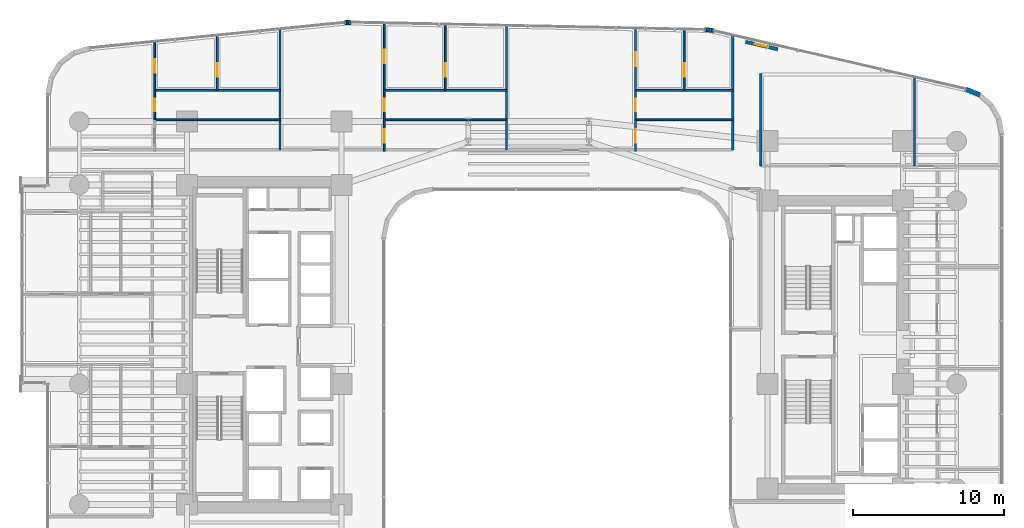
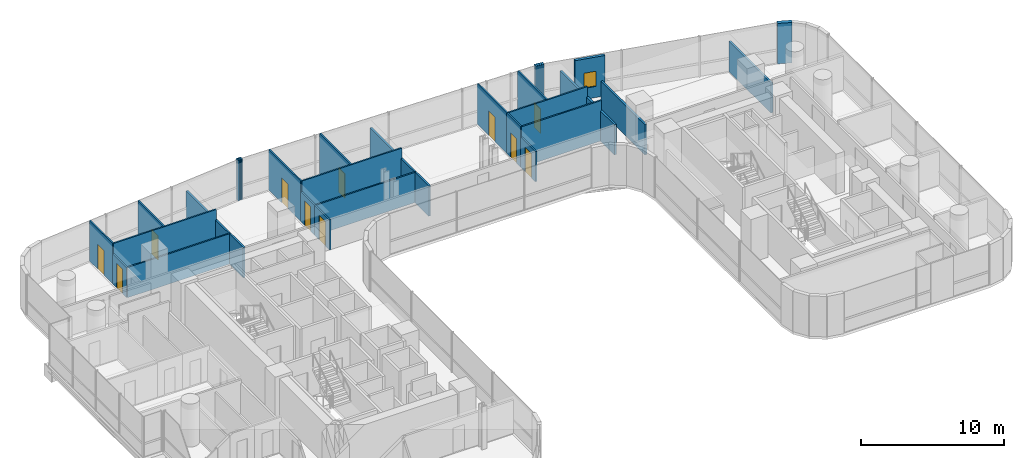
# One storey, part 33 of 40: 32 walls, 11 doors, 1 window, 12 openings.
"""IFC4 building model written with IfcOpenShell, lengths in metres."""

import ifcopenshell
import ifcopenshell.guid

model = None  # the IFC model being written
_history = None  # IfcOwnerHistory: only IFC2X3 demands one
_inside = {}  # id of a spatial element -> (the spatial element, [elements in it])
_under = {}  # id of a project, library or spatial element -> (it, [spatial elements below it])
_declared = {}  # id of a project -> (the project, [libraries it declares])
_typed = {}  # id of a type object -> (the type object, [elements of that type])
_made_of = {}  # id of a material, layer set ... -> (it, [elements and type objects made of it])


def new_model(schema):
    """Start an empty IFC model of exactly this schema.

    Asked for "IFC4X3", IfcOpenShell would pick the latest addendum, in which some entities
    have other attributes; the version numbers below select the first issue.
    IFC2X3 requires an IfcOwnerHistory on every rooted entity: one is made here for all.
    """
    global model, _history
    if schema == "IFC4X3":
        model = ifcopenshell.file(schema_version=(4, 3, 0, 0))
    else:
        model = ifcopenshell.file(schema=schema)
    _inside.clear()
    _under.clear()
    _declared.clear()
    _typed.clear()
    _made_of.clear()
    _history = None
    if model.schema == "IFC2X3":
        org = make("IfcOrganization", Name="unknown")
        user = make(
            "IfcPersonAndOrganization",
            ThePerson=make("IfcPerson", FamilyName="unknown"),
            TheOrganization=org,
        )
        app = make(
            "IfcApplication",
            ApplicationDeveloper=org,
            Version="unknown",
            ApplicationFullName="unknown",
            ApplicationIdentifier="unknown",
        )
        _history = make(
            "IfcOwnerHistory",
            OwningUser=user,
            OwningApplication=app,
            ChangeAction="ADDED",
            CreationDate=0,
        )
    return model


def make(cls, **values):
    """One entity of the class cls with the attributes given. An attribute that is None is left unset."""
    return model.create_entity(
        cls, **{name: value for name, value in values.items() if value is not None}
    )


def rooted(cls, **values):
    """An entity with a GlobalId (a new one), such as an element, a storey or a relation."""
    return make(cls, GlobalId=ifcopenshell.guid.new(), OwnerHistory=_history, **values)


def si_unit(unit_type, name, prefix=None):
    """IfcSIUnit, for example si_unit("LENGTHUNIT", "METRE", prefix="MILLI")."""
    return make("IfcSIUnit", UnitType=unit_type, Prefix=prefix, Name=name)


def assignment(units):
    """IfcUnitAssignment: the units of a project."""
    return None if units is None else make("IfcUnitAssignment", Units=units)


def point(xyz):
    """IfcCartesianPoint."""
    return None if xyz is None else make("IfcCartesianPoint", Coordinates=xyz)


def direction(xyz):
    """IfcDirection."""
    return None if xyz is None else make("IfcDirection", DirectionRatios=xyz)


def frame(location, z_axis=None, x_axis=None):
    """IfcAxis2Placement3D, a coordinate frame: its origin and axes. An axis left out is left unset."""
    return make(
        "IfcAxis2Placement3D",
        Location=point(location),
        Axis=direction(z_axis),
        RefDirection=direction(x_axis),
    )


def frame_2d(location, x_axis=None):
    """IfcAxis2Placement2D, a coordinate frame in the plane: its origin and x axis."""
    return make(
        "IfcAxis2Placement2D", Location=point(location), RefDirection=direction(x_axis)
    )


def origin():
    """The frame at (0, 0, 0) with its axes left unset."""
    return frame((0.0, 0.0, 0.0))


def place(relative_to, where):
    """IfcLocalPlacement: puts the frame where relative to a parent placement (None: the world)."""
    return make(
        "IfcLocalPlacement", PlacementRelTo=relative_to, RelativePlacement=where
    )


def context(
    kind, dimensions, precision=None, world=None, true_north=None, identifier=None
):
    """IfcGeometricRepresentationContext, for example the 3D "Model" context."""
    return make(
        "IfcGeometricRepresentationContext",
        ContextIdentifier=identifier,
        ContextType=kind,
        CoordinateSpaceDimension=dimensions,
        Precision=precision,
        WorldCoordinateSystem=world,
        TrueNorth=true_north,
    )


def subcontext(parent, identifier, kind, view, scale=None):
    """IfcGeometricRepresentationSubContext, for example "Body" below "Model"."""
    return make(
        "IfcGeometricRepresentationSubContext",
        ContextIdentifier=identifier,
        ContextType=kind,
        ParentContext=parent,
        TargetScale=scale,
        TargetView=view,
    )


def project(units=None, contexts=None):
    """IfcProject with its units and contexts."""
    return rooted(
        "IfcProject",
        Name="project",
        RepresentationContexts=contexts,
        UnitsInContext=assignment(units),
    )


def spatial(cls, under=None, at=None, **own):
    """A site, building, storey or space (cls), placed at a placement, below another one or the project."""
    s = rooted(cls, ObjectPlacement=at, **own)
    if under is not None:
        _under.setdefault(under.id(), (under, []))[1].append(s)
    return s


def profile(cls, at=None, kind="AREA", **sizes):
    """A parametric profile (cls). Its sizes go by their IFC names, for example OverallWidth=200.0."""
    return make(cls, ProfileType=kind, Position=at, **sizes)


def rectangle(**sizes):
    """IfcRectangleProfileDef."""
    return profile("IfcRectangleProfileDef", **sizes)


def extrude(swept, where, along, depth):
    """IfcExtrudedAreaSolid: the profile swept, set in the frame where, extruded along a direction by depth."""
    return make(
        "IfcExtrudedAreaSolid",
        SweptArea=swept,
        Position=where,
        ExtrudedDirection=direction(along),
        Depth=depth,
    )


def shape(context_of_items, identifier, shape_type, items):
    """IfcShapeRepresentation: the items that make up one representation, for example the "Body"."""
    return make(
        "IfcShapeRepresentation",
        ContextOfItems=context_of_items,
        RepresentationIdentifier=identifier,
        RepresentationType=shape_type,
        Items=items,
    )


def material(Name=None, Category=None):
    """IfcMaterial."""
    return make("IfcMaterial", Name=Name, Category=Category)


def layer(
    of_material, thickness, ventilated=None, Name=None, Category=None, Priority=None
):
    """IfcMaterialLayer: one layer of a wall or slab, of a material (None: an air gap)."""
    return make(
        "IfcMaterialLayer",
        Material=of_material,
        LayerThickness=thickness,
        IsVentilated=ventilated,
        Name=Name,
        Category=Category,
        Priority=Priority,
    )


def layer_set(layers, Name=None):
    """IfcMaterialLayerSet."""
    return make("IfcMaterialLayerSet", MaterialLayers=layers, LayerSetName=Name)


def made_of(thing, what):
    """Note that an element or type object is made of a material, layer set ...; save() writes the relation."""
    if what is not None:
        _made_of.setdefault(what.id(), (what, []))[1].append(thing)
    return thing


def type_object(cls, material=None, **own):
    """A type object (cls), such as IfcWallType, which elements share."""
    return made_of(rooted(cls, **own), material)


def element(
    cls,
    number,
    at=None,
    inside=None,
    cuts=None,
    type_object=None,
    material=None,
    context=None,
    identifier="Body",
    shape_type=None,
    held_by="IfcProductDefinitionShape",
    body=None,
    shapes=None,
    **own,
):
    """One element of the class cls, such as IfcWall. Its Tag is "e" and its number.

    at: its placement. inside: the storey or other place that contains it. cuts: it is an
    opening in that element (IfcRelVoidsElement). A single representation is given by context,
    identifier, shape_type and body (its items); several are given by shapes. held_by: the class
    of the entity that holds the representations. save() writes the other relations.
    """
    e = rooted(cls, Tag="e%d" % number, ObjectPlacement=at, **own)
    if body is not None:
        shapes = [shape(context, identifier, shape_type, body)]
    if shapes is not None:
        e.Representation = make(held_by, Representations=shapes)
    if inside is not None:
        _inside.setdefault(inside.id(), (inside, []))[1].append(e)
    if cuts is not None:
        rooted(
            "IfcRelVoidsElement", RelatingBuildingElement=cuts, RelatedOpeningElement=e
        )
    if type_object is not None:
        _typed.setdefault(type_object.id(), (type_object, []))[1].append(e)
    return made_of(e, material)


def fill(opening, filler):
    """IfcRelFillsElement: the door or window that sits in an opening."""
    return rooted(
        "IfcRelFillsElement",
        RelatingOpeningElement=opening,
        RelatedBuildingElement=filler,
    )


def aggregate(whole, parts):
    """IfcRelAggregates: a whole, such as a stair, and the parts it consists of."""
    return rooted("IfcRelAggregates", RelatingObject=whole, RelatedObjects=parts)


def save(model, path):
    """Write the relations noted so far, then the file.

    IfcRelAggregates (storeys below a building ...), IfcRelContainedInSpatialStructure (elements
    in a storey), IfcRelDefinesByType, IfcRelAssociatesMaterial and IfcRelDeclares: one each for
    every whole, place, type object, material and project.
    """
    for whole, parts in _under.values():
        aggregate(whole, parts)
    for where, things in _inside.values():
        rooted(
            "IfcRelContainedInSpatialStructure",
            RelatedElements=things,
            RelatingStructure=where,
        )
    for kind, things in _typed.values():
        rooted("IfcRelDefinesByType", RelatedObjects=things, RelatingType=kind)
    for what, things in _made_of.values():
        rooted("IfcRelAssociatesMaterial", RelatedObjects=things, RelatingMaterial=what)
    for by, libraries in _declared.values():
        rooted("IfcRelDeclares", RelatingContext=by, RelatedDefinitions=libraries)
    model.write(path)


model = new_model("IFC4")

# Units and contexts
model_context = context("Model", 3, precision=1e-05, world=origin(), true_north=direction((0.0, 1.0)))
body_context = subcontext(model_context, "Body", "Model", "MODEL_VIEW")
ifc_project = project(units=[si_unit("LENGTHUNIT", "METRE"), si_unit("AREAUNIT", "SQUARE_METRE"), si_unit("VOLUMEUNIT", "CUBIC_METRE"), si_unit("PLANEANGLEUNIT", "RADIAN"), si_unit("MASSUNIT", "GRAM", prefix="KILO")], contexts=[model_context])

# Site, building, storey
site_placement = place(None, origin())
site = spatial("IfcSite", under=ifc_project, at=site_placement, CompositionType="ELEMENT")
building_placement = place(site_placement, origin())
building = spatial("IfcBuilding", under=site, at=building_placement, Name="Valdorenza Pilgrim Sanctuary Tower", CompositionType="ELEMENT")
storey_placement = place(building_placement, frame((0.0, 0.0, 40.800048828125)))
storey = spatial("IfcBuildingStorey", under=building, at=storey_placement, Name="L09", CompositionType="ELEMENT", Elevation=40.800048828125)

# Walls
ifc_material_1 = material(Name="Acoustic twin-stud gypsum partition", Category="gypsum")
ifc_layer_1 = layer(ifc_material_1, 0.159912109375, Name="Acoustic twin-stud gypsum partition")
ifc_layer_set_1 = layer_set([ifc_layer_1], Name="Acoustic twin-stud gypsum partition")
wall_type_1 = type_object("IfcWallType", Name="WAL-COR-160", PredefinedType="PARTITIONING", material=ifc_layer_set_1)
wall_1_placement = place(storey_placement, frame((13.550048828125, 12.919921875, 0.0), z_axis=(0.0, 0.0, 1.0), x_axis=(0.0, 1.0, 0.0)))
element("IfcWall", 1, at=wall_1_placement, inside=storey, type_object=wall_type_1, Name="L09 North Band East Closure", PredefinedType="PARTITIONING", context=body_context, shape_type="SweptSolid", body=[
    extrude(rectangle(XDim=7.609375, YDim=0.159912109375, at=frame_2d((3.8046875, 0.0))), origin(), (0.0, 0.0, 1.0), 2.5830078125),
])
wall_2_placement = place(storey_placement, frame((15.39990234375, 11.85009765625, 0.0), z_axis=(0.0, 0.0, 1.0), x_axis=(0.0, 1.0, 0.0)))
element("IfcWall", 2, at=wall_2_placement, inside=storey, type_object=wall_type_1, Name="L09 Wing B North West Wall", PredefinedType="PARTITIONING", context=body_context, shape_type="SweptSolid", body=[
    extrude(rectangle(XDim=6.14990234375, YDim=0.159912109375, at=frame_2d((3.074951171875, 0.0))), origin(), (0.0, 0.0, 1.0), 2.5830078125),
])
wall_3_placement = place(storey_placement, frame((25.60009765625, 11.85009765625, 0.0), z_axis=(0.0, 0.0, 1.0), x_axis=(0.0, 1.0, 0.0)))
element("IfcWall", 3, at=wall_3_placement, inside=storey, type_object=wall_type_1, Name="L09 Wing B North East Wall", PredefinedType="PARTITIONING", context=body_context, shape_type="SweptSolid", body=[
    extrude(rectangle(XDim=5.8984375, YDim=0.159912109375, at=frame_2d((2.94921875, 0.0))), origin(), (0.0, 0.0, 1.0), 2.5830078125),
])
ifc_material_2 = material(Name="Honed travertine limestone", Category="masonry")
ifc_layer_2 = layer(ifc_material_2, 0.300048828125, Name="Honed travertine limestone")
ifc_layer_set_2 = layer_set([ifc_layer_2], Name="Honed travertine limestone")
wall_type_2 = type_object("IfcWallType", Name="WAL-EXT-300", PredefinedType="SOLIDWALL", material=ifc_layer_set_2)
wall_4_placement = place(storey_placement, frame((-12.181884765625, 21.371337890625, 0.0), z_axis=(0.0, 0.0, 1.0), x_axis=(0.996527790842, 0.08326080759, 0.0)))
element("IfcWall", 4, at=wall_4_placement, inside=storey, type_object=wall_type_2, Name="L09 Rounded Wind-Corner Stone Pier 7", PredefinedType="SOLIDWALL", context=body_context, shape_type="SweptSolid", body=[
    extrude(rectangle(XDim=0.09375, YDim=0.300048828125, at=frame_2d((0.046875, 0.0))), origin(), (0.0, 0.0, 1.0), 3.4599609375),
])
wall_5_placement = place(storey_placement, frame((-12.08837890625, 21.379150390625, 0.0), z_axis=(0.0, 0.0, 1.0), x_axis=(0.998476480444, 0.055178963393, 0.0)))
element("IfcWall", 5, at=wall_5_placement, inside=storey, type_object=wall_type_2, Name="L09 Rounded Wind-Corner Stone Pier 8", PredefinedType="SOLIDWALL", context=body_context, shape_type="SweptSolid", body=[
    extrude(rectangle(XDim=0.093017578125, YDim=0.300048828125, at=frame_2d((0.04638671875, 0.0))), origin(), (0.0, 0.0, 1.0), 3.4599609375),
])
wall_6_placement = place(storey_placement, frame((-11.99560546875, 21.38427734375, 0.0), z_axis=(0.0, 0.0, 1.0), x_axis=(0.999722573757, 0.023553673204, 0.0)))
element("IfcWall", 6, at=wall_6_placement, inside=storey, type_object=wall_type_2, Name="L09 Rounded Wind-Corner Stone Pier 9", PredefinedType="SOLIDWALL", context=body_context, shape_type="SweptSolid", body=[
    extrude(rectangle(XDim=0.09326171875, YDim=0.300048828125, at=frame_2d((0.046630859375, 0.0))), origin(), (0.0, 0.0, 1.0), 3.4599609375),
])
wall_7_placement = place(storey_placement, frame((-11.90234375, 21.386474609375, 0.0), z_axis=(0.0, 0.0, 1.0), x_axis=(0.999986507273, -0.005194735103, 0.0)))
element("IfcWall", 7, at=wall_7_placement, inside=storey, type_object=wall_type_2, Name="L09 Rounded Wind-Corner Stone Pier 10", PredefinedType="SOLIDWALL", context=body_context, shape_type="SweptSolid", body=[
    extrude(rectangle(XDim=0.093994140625, YDim=0.300048828125, at=frame_2d((0.046875, 0.0))), origin(), (0.0, 0.0, 1.0), 3.4599609375),
])
wall_8_placement = place(storey_placement, frame((11.665771484375, 20.89697265625, 0.0), z_axis=(0.0, 0.0, 1.0), x_axis=(0.998885297239, -0.047203421059, 0.0)))
element("IfcWall", 8, at=wall_8_placement, inside=storey, type_object=wall_type_2, Name="L09 Rounded Wind-Corner Stone Pier 12", PredefinedType="SOLIDWALL", context=body_context, shape_type="SweptSolid", body=[
    extrude(rectangle(XDim=0.160400390625, YDim=0.300048828125, at=frame_2d((0.080078125, 0.0))), origin(), (0.0, 0.0, 1.0), 3.4599609375),
])
wall_9_placement = place(storey_placement, frame((11.825927734375, 20.889404296875, 0.0), z_axis=(0.0, 0.0, 1.0), x_axis=(0.995172891136, -0.098137234257, 0.0)))
element("IfcWall", 9, at=wall_9_placement, inside=storey, type_object=wall_type_2, Name="L09 Rounded Wind-Corner Stone Pier 13", PredefinedType="SOLIDWALL", context=body_context, shape_type="SweptSolid", body=[
    extrude(rectangle(XDim=0.1591796875, YDim=0.300048828125, at=frame_2d((0.07958984375, 0.0))), origin(), (0.0, 0.0, 1.0), 3.4599609375),
])
wall_10_placement = place(storey_placement, frame((11.984375, 20.873779296875, 0.0), z_axis=(0.0, 0.0, 1.0), x_axis=(0.988846069207, -0.148941100486, 0.0)))
element("IfcWall", 10, at=wall_10_placement, inside=storey, type_object=wall_type_2, Name="L09 Rounded Wind-Corner Stone Pier 14", PredefinedType="SOLIDWALL", context=body_context, shape_type="SweptSolid", body=[
    extrude(rectangle(XDim=0.158935546875, YDim=0.300048828125, at=frame_2d((0.07958984375, 0.0))), origin(), (0.0, 0.0, 1.0), 3.4599609375),
])
wall_11_placement = place(storey_placement, frame((12.1416015625, 20.85009765625, 0.0), z_axis=(0.0, 0.0, 1.0), x_axis=(0.979991950448, -0.19903712482, 0.0)))
element("IfcWall", 11, at=wall_11_placement, inside=storey, type_object=wall_type_2, Name="L09 Rounded Wind-Corner Stone Pier 15", PredefinedType="SOLIDWALL", context=body_context, shape_type="SweptSolid", body=[
    extrude(rectangle(XDim=0.16064453125, YDim=0.300048828125, at=frame_2d((0.080322265625, 0.0))), origin(), (0.0, 0.0, 1.0), 3.4599609375),
])

# Wall, opening, window
wall_12_placement = place(storey_placement, frame((14.388671875, 20.089599609375, 0.0), z_axis=(0.0, 0.0, 1.0), x_axis=(0.974400545997, -0.224818984875, 0.0)))
wall_12 = element("IfcWall", 12, at=wall_12_placement, inside=storey, type_object=wall_type_2, Name="L09 Operable Ventilation Sash Jamb Pier", PredefinedType="SOLIDWALL", context=body_context, shape_type="SweptSolid", body=[
    extrude(rectangle(XDim=2.2001953125, YDim=0.219970703125, at=frame_2d((1.10009765625, 0.0))), origin(), (0.0, 0.0, 1.0), 3.4599609375),
])
opening_1_placement = place(wall_12_placement, frame((0.64990234375, 0.0, 0.949951171875)))
opening_1 = element("IfcOpeningElement", 13, at=opening_1_placement, cuts=wall_12, Name="Opening WN-OP1", PredefinedType="OPENING", context=body_context, shape_type="SweptSolid", body=[
    extrude(rectangle(XDim=0.89990234375, YDim=1.300048828125, at=frame_2d((0.449951171875, 0.64990234375))), frame((0.0, 0.125, 0.0), z_axis=(0.0, -1.0, 0.0), x_axis=(1.0, 0.0, 0.0)), (0.0, 0.0, 1.0), 0.249755859375),
])
ifc_material_3 = material(Name="Ceramic-fritted low-E IGU glazing", Category="glass")
window_type = type_object("IfcWindowType", Name="WIN-OPN-900", PartitioningType="SINGLE_PANEL", PredefinedType="WINDOW", material=ifc_material_3)
window_placement = place(opening_1_placement, origin())
window = element("IfcWindow", 14, at=window_placement, inside=storey, type_object=window_type, Name="L09 Parallel-Pop-Out Operable Facade Panel", OverallHeight=1.300048828125, OverallWidth=0.89990234375, PartitioningType="SINGLE_PANEL", PredefinedType="WINDOW", context=body_context, shape_type="SweptSolid", body=[
    extrude(rectangle(XDim=0.89990234375, YDim=1.300048828125, at=frame_2d((0.449951171875, 0.64990234375))), frame((0.0, 0.030029296875, 0.0), z_axis=(0.0, -1.0, 0.0), x_axis=(1.0, 0.0, 0.0)), (0.0, 0.0, 1.0), 0.06005859375),
])
fill(opening_1, window)

# Walls
wall_13_placement = place(storey_placement, frame((28.98583984375, 16.96728515625, 0.0), z_axis=(0.0, 0.0, 1.0), x_axis=(0.923083852684, -0.384598753136, 0.0)))
element("IfcWall", 15, at=wall_13_placement, inside=storey, type_object=wall_type_2, Name="L09 Rounded Wind-Corner Stone Pier 17", PredefinedType="SOLIDWALL", context=body_context, shape_type="SweptSolid", body=[
    extrude(rectangle(XDim=1.042236328125, YDim=0.300048828125, at=frame_2d((0.52099609375, 0.0))), origin(), (0.0, 0.0, 1.0), 3.4599609375),
])
ifc_material_4 = material(Name="Moisture-resistant gypsum partition", Category="gypsum")
ifc_layer_3 = layer(ifc_material_4, 0.1201171875, Name="Moisture-resistant gypsum partition")
ifc_layer_set_3 = layer_set([ifc_layer_3], Name="Moisture-resistant gypsum partition")
wall_type_3 = type_object("IfcWallType", Name="WAL-INT-120", PredefinedType="PARTITIONING", material=ifc_layer_set_3)
wall_14_placement = place(storey_placement, frame((-24.802734375, 14.919921875, 0.0), z_axis=(0.0, 0.0, 1.0), x_axis=(1.0, 0.0, 0.0)))
element("IfcWall", 16, at=wall_14_placement, inside=storey, type_object=wall_type_3, Name="L09 North Family Flat L09-N1 Bath-Kitchen Wall", PredefinedType="PARTITIONING", context=body_context, shape_type="SweptSolid", body=[
    extrude(rectangle(XDim=8.31982421875, YDim=0.1201171875, at=frame_2d((4.159912109375, 0.0))), origin(), (0.0, 0.0, 1.0), 2.5830078125),
])
wall_15_placement = place(storey_placement, frame((-24.802734375, 16.8701171875, 0.0), z_axis=(0.0, 0.0, 1.0), x_axis=(1.0, 0.0, 0.0)))
element("IfcWall", 17, at=wall_15_placement, inside=storey, type_object=wall_type_3, Name="L09 North Family Flat L09-N1 Kitchen-Bedroom Wall", PredefinedType="PARTITIONING", context=body_context, shape_type="SweptSolid", body=[
    extrude(rectangle(XDim=8.31982421875, YDim=0.1201171875, at=frame_2d((4.159912109375, 0.0))), origin(), (0.0, 0.0, 1.0), 3.4599609375),
])

# Wall, opening, door
wall_16_placement = place(storey_placement, frame((-24.802734375, 14.919921875, 0.0), z_axis=(0.0, 0.0, 1.0), x_axis=(0.0, 1.0, 0.0)))
wall_16 = element("IfcWall", 18, at=wall_16_placement, inside=storey, type_object=wall_type_3, Name="L09 North Family Flat L09-N1 Bathroom Door Wall", PredefinedType="PARTITIONING", context=body_context, shape_type="SweptSolid", body=[
    extrude(rectangle(XDim=1.9501953125, YDim=0.1201171875, at=frame_2d((0.97509765625, 0.0))), origin(), (0.0, 0.0, 1.0), 2.5830078125),
])
opening_2_placement = place(wall_16_placement, frame((0.550048828125, 0.0, 0.0)))
opening_2 = element("IfcOpeningElement", 19, at=opening_2_placement, cuts=wall_16, Name="Opening DR-WC1", PredefinedType="OPENING", context=body_context, shape_type="SweptSolid", body=[
    extrude(rectangle(XDim=0.85009765625, YDim=2.10009765625, at=frame_2d((0.425048828125, 1.050048828125))), frame((0.0, 0.074951171875, 0.0), z_axis=(0.0, -1.0, 0.0), x_axis=(1.0, 0.0, 0.0)), (0.0, 0.0, 1.0), 0.14990234375),
])
ifc_material_5 = material(Name="Moisture-resistant lacquered timber", Category="wood")
door_type_1 = type_object("IfcDoorType", Name="DR-BATH-850", OperationType="NOTDEFINED", PredefinedType="DOOR", material=ifc_material_5)
door_1_placement = place(opening_2_placement, origin())
door_1 = element("IfcDoor", 20, at=door_1_placement, inside=storey, type_object=door_type_1, Name="L09 North Family Flat L09-N1 Bathroom Door", OperationType="SINGLE_SWING_RIGHT", OverallHeight=2.10009765625, OverallWidth=0.85009765625, PredefinedType="DOOR", context=body_context, shape_type="SweptSolid", body=[
    extrude(rectangle(XDim=0.85009765625, YDim=2.10009765625, at=frame_2d((0.425048828125, 1.050048828125))), frame((0.0, 0.02490234375, 0.0), z_axis=(0.0, -1.0, 0.0), x_axis=(1.0, 0.0, 0.0)), (0.0, 0.0, 1.0), 0.050048828125),
])
fill(opening_2, door_1)

wall_17_placement = place(storey_placement, frame((-24.802734375, 16.8701171875, 0.0), z_axis=(0.0, 0.0, 1.0), x_axis=(0.0, 1.0, 0.0)))
wall_17 = element("IfcWall", 21, at=wall_17_placement, inside=storey, type_object=wall_type_3, Name="L09 North Family Flat L09-N1 Bedroom Door Wall", PredefinedType="PARTITIONING", context=body_context, shape_type="SweptSolid", body=[
    extrude(rectangle(XDim=3.239013671875, YDim=0.1201171875, at=frame_2d((1.61962890625, 0.0))), origin(), (0.0, 0.0, 1.0), 3.4599609375),
])
opening_3_placement = place(wall_17_placement, frame((1.169921875, 0.0, 0.0)))
opening_3 = element("IfcOpeningElement", 22, at=opening_3_placement, cuts=wall_17, Name="Opening DR-RM1", PredefinedType="OPENING", context=body_context, shape_type="SweptSolid", body=[
    extrude(rectangle(XDim=0.89990234375, YDim=2.10009765625, at=frame_2d((0.449951171875, 1.050048828125))), frame((0.0, 0.074951171875, 0.0), z_axis=(0.0, -1.0, 0.0), x_axis=(1.0, 0.0, 0.0)), (0.0, 0.0, 1.0), 0.14990234375),
])
ifc_material_6 = material(Name="Solid-core European oak timber", Category="wood")
door_type_2 = type_object("IfcDoorType", Name="DR-ROOM-900", OperationType="NOTDEFINED", PredefinedType="DOOR", material=ifc_material_6)
door_2_placement = place(opening_3_placement, origin())
door_2 = element("IfcDoor", 23, at=door_2_placement, inside=storey, type_object=door_type_2, Name="L09 North Family Flat L09-N1 Bedroom 1 Door", OperationType="SINGLE_SWING_RIGHT", OverallHeight=2.10009765625, OverallWidth=0.89990234375, PredefinedType="DOOR", context=body_context, shape_type="SweptSolid", body=[
    extrude(rectangle(XDim=0.89990234375, YDim=2.10009765625, at=frame_2d((0.449951171875, 1.050048828125))), frame((0.0, 0.02490234375, 0.0), z_axis=(0.0, -1.0, 0.0), x_axis=(1.0, 0.0, 0.0)), (0.0, 0.0, 1.0), 0.050048828125),
])
fill(opening_3, door_2)

wall_18_placement = place(storey_placement, frame((-20.642822265625, 16.8701171875, 0.0), z_axis=(0.0, 0.0, 1.0), x_axis=(0.0, 1.0, 0.0)))
wall_18 = element("IfcWall", 24, at=wall_18_placement, inside=storey, type_object=wall_type_3, Name="L09 North Family Flat L09-N1 Bedroom 2 Wall", PredefinedType="PARTITIONING", context=body_context, shape_type="SweptSolid", body=[
    extrude(rectangle(XDim=3.655029296875, YDim=0.1201171875, at=frame_2d((1.82763671875, 0.0))), origin(), (0.0, 0.0, 1.0), 3.4599609375),
])
opening_4_placement = place(wall_18_placement, frame((0.89990234375, 0.0, 0.0)))
opening_4 = element("IfcOpeningElement", 25, at=opening_4_placement, cuts=wall_18, Name="Opening DR-RM1", PredefinedType="OPENING", context=body_context, shape_type="SweptSolid", body=[
    extrude(rectangle(XDim=0.89990234375, YDim=2.10009765625, at=frame_2d((0.449951171875, 1.050048828125))), frame((0.0, 0.074951171875, 0.0), z_axis=(0.0, -1.0, 0.0), x_axis=(1.0, 0.0, 0.0)), (0.0, 0.0, 1.0), 0.14990234375),
])
door_3_placement = place(opening_4_placement, frame((0.89990234375, 0.0, 0.0), z_axis=(0.0, 0.0, 1.0), x_axis=(-1.0, 0.0, 0.0)))
door_3 = element("IfcDoor", 26, at=door_3_placement, inside=storey, type_object=door_type_2, Name="L09 North Family Flat L09-N1 Bedroom 2 Door", OperationType="SINGLE_SWING_LEFT", OverallHeight=2.10009765625, OverallWidth=0.89990234375, PredefinedType="DOOR", context=body_context, shape_type="SweptSolid", body=[
    extrude(rectangle(XDim=0.89990234375, YDim=2.10009765625, at=frame_2d((0.449951171875, 1.050048828125))), frame((0.0, 0.02490234375, 0.0), z_axis=(0.0, -1.0, 0.0), x_axis=(1.0, 0.0, 0.0)), (0.0, 0.0, 1.0), 0.050048828125),
])
fill(opening_4, door_3)

# Walls
wall_19_placement = place(storey_placement, frame((-9.57568359375, 14.919921875, 0.0), z_axis=(0.0, 0.0, 1.0), x_axis=(1.0, 0.0, 0.0)))
element("IfcWall", 27, at=wall_19_placement, inside=storey, type_object=wall_type_3, Name="L09 North Family Flat L09-N2 Bath-Kitchen Wall", PredefinedType="PARTITIONING", context=body_context, shape_type="SweptSolid", body=[
    extrude(rectangle(XDim=8.108642578125, YDim=0.1201171875, at=frame_2d((4.05419921875, 0.0))), origin(), (0.0, 0.0, 1.0), 2.5830078125),
])
wall_20_placement = place(storey_placement, frame((-9.57568359375, 16.8701171875, 0.0), z_axis=(0.0, 0.0, 1.0), x_axis=(1.0, 0.0, 0.0)))
element("IfcWall", 28, at=wall_20_placement, inside=storey, type_object=wall_type_3, Name="L09 North Family Flat L09-N2 Kitchen-Bedroom Wall", PredefinedType="PARTITIONING", context=body_context, shape_type="SweptSolid", body=[
    extrude(rectangle(XDim=8.108642578125, YDim=0.1201171875, at=frame_2d((4.05419921875, 0.0))), origin(), (0.0, 0.0, 1.0), 3.4599609375),
])

# Wall, opening, door
wall_21_placement = place(storey_placement, frame((-9.57568359375, 14.919921875, 0.0), z_axis=(0.0, 0.0, 1.0), x_axis=(0.0, 1.0, 0.0)))
wall_21 = element("IfcWall", 29, at=wall_21_placement, inside=storey, type_object=wall_type_3, Name="L09 North Family Flat L09-N2 Bathroom Door Wall", PredefinedType="PARTITIONING", context=body_context, shape_type="SweptSolid", body=[
    extrude(rectangle(XDim=1.9501953125, YDim=0.1201171875, at=frame_2d((0.97509765625, 0.0))), origin(), (0.0, 0.0, 1.0), 2.5830078125),
])
opening_5_placement = place(wall_21_placement, frame((0.550048828125, 0.0, 0.0)))
opening_5 = element("IfcOpeningElement", 30, at=opening_5_placement, cuts=wall_21, Name="Opening DR-WC1", PredefinedType="OPENING", context=body_context, shape_type="SweptSolid", body=[
    extrude(rectangle(XDim=0.85009765625, YDim=2.10009765625, at=frame_2d((0.425048828125, 1.050048828125))), frame((0.0, 0.074951171875, 0.0), z_axis=(0.0, -1.0, 0.0), x_axis=(1.0, 0.0, 0.0)), (0.0, 0.0, 1.0), 0.14990234375),
])
door_4_placement = place(opening_5_placement, origin())
door_4 = element("IfcDoor", 31, at=door_4_placement, inside=storey, type_object=door_type_1, Name="L09 North Family Flat L09-N2 Bathroom Door", OperationType="SINGLE_SWING_LEFT", OverallHeight=2.10009765625, OverallWidth=0.85009765625, PredefinedType="DOOR", context=body_context, shape_type="SweptSolid", body=[
    extrude(rectangle(XDim=0.85009765625, YDim=2.10009765625, at=frame_2d((0.425048828125, 1.050048828125))), frame((0.0, 0.02490234375, 0.0), z_axis=(0.0, -1.0, 0.0), x_axis=(1.0, 0.0, 0.0)), (0.0, 0.0, 1.0), 0.050048828125),
])
fill(opening_5, door_4)

wall_22_placement = place(storey_placement, frame((-9.57568359375, 12.840087890625, 0.0), z_axis=(0.0, 0.0, 1.0), x_axis=(0.0, 1.0, 0.0)))
wall_22 = element("IfcWall", 32, at=wall_22_placement, inside=storey, type_object=wall_type_3, Name="L09 North Family Flat L09-N2 Kitchen Door Wall", PredefinedType="PARTITIONING", context=body_context, shape_type="SweptSolid", body=[
    extrude(rectangle(XDim=2.079833984375, YDim=0.1201171875, at=frame_2d((1.0400390625, 0.0))), origin(), (0.0, 0.0, 1.0), 2.5830078125),
])
opening_6_placement = place(wall_22_placement, frame((0.550048828125, 0.0, 0.0)))
opening_6 = element("IfcOpeningElement", 33, at=opening_6_placement, cuts=wall_22, Name="Opening DR-RM1", PredefinedType="OPENING", context=body_context, shape_type="SweptSolid", body=[
    extrude(rectangle(XDim=0.89990234375, YDim=2.10009765625, at=frame_2d((0.449951171875, 1.050048828125))), frame((0.0, 0.074951171875, 0.0), z_axis=(0.0, -1.0, 0.0), x_axis=(1.0, 0.0, 0.0)), (0.0, 0.0, 1.0), 0.14990234375),
])
door_5_placement = place(opening_6_placement, origin())
door_5 = element("IfcDoor", 34, at=door_5_placement, inside=storey, type_object=door_type_2, Name="L09 North Family Flat L09-N2 Kitchen Door", OperationType="SINGLE_SWING_RIGHT", OverallHeight=2.10009765625, OverallWidth=0.89990234375, PredefinedType="DOOR", context=body_context, shape_type="SweptSolid", body=[
    extrude(rectangle(XDim=0.89990234375, YDim=2.10009765625, at=frame_2d((0.449951171875, 1.050048828125))), frame((0.0, 0.02490234375, 0.0), z_axis=(0.0, -1.0, 0.0), x_axis=(1.0, 0.0, 0.0)), (0.0, 0.0, 1.0), 0.050048828125),
])
fill(opening_6, door_5)

wall_23_placement = place(storey_placement, frame((-9.57568359375, 16.8701171875, 0.0), z_axis=(0.0, 0.0, 1.0), x_axis=(0.0, 1.0, 0.0)))
wall_23 = element("IfcWall", 35, at=wall_23_placement, inside=storey, type_object=wall_type_3, Name="L09 North Family Flat L09-N2 Bedroom Door Wall", PredefinedType="PARTITIONING", context=body_context, shape_type="SweptSolid", body=[
    extrude(rectangle(XDim=4.469482421875, YDim=0.1201171875, at=frame_2d((2.23486328125, 0.0))), origin(), (0.0, 0.0, 1.0), 3.4599609375),
])
opening_7_placement = place(wall_23_placement, frame((1.784912109375, 0.0, 0.0)))
opening_7 = element("IfcOpeningElement", 36, at=opening_7_placement, cuts=wall_23, Name="Opening DR-RM1", PredefinedType="OPENING", context=body_context, shape_type="SweptSolid", body=[
    extrude(rectangle(XDim=0.89990234375, YDim=2.10009765625, at=frame_2d((0.449951171875, 1.050048828125))), frame((0.0, 0.074951171875, 0.0), z_axis=(0.0, -1.0, 0.0), x_axis=(1.0, 0.0, 0.0)), (0.0, 0.0, 1.0), 0.14990234375),
])
door_6_placement = place(opening_7_placement, frame((0.89990234375, 0.0, 0.0), z_axis=(0.0, 0.0, 1.0), x_axis=(-1.0, 0.0, 0.0)))
door_6 = element("IfcDoor", 37, at=door_6_placement, inside=storey, type_object=door_type_2, Name="L09 North Family Flat L09-N2 Bedroom 1 Door", OperationType="SINGLE_SWING_LEFT", OverallHeight=2.10009765625, OverallWidth=0.89990234375, PredefinedType="DOOR", context=body_context, shape_type="SweptSolid", body=[
    extrude(rectangle(XDim=0.89990234375, YDim=2.10009765625, at=frame_2d((0.449951171875, 1.050048828125))), frame((0.0, 0.02490234375, 0.0), z_axis=(0.0, -1.0, 0.0), x_axis=(1.0, 0.0, 0.0)), (0.0, 0.0, 1.0), 0.050048828125),
])
fill(opening_7, door_6)

wall_24_placement = place(storey_placement, frame((-5.521240234375, 16.8701171875, 0.0), z_axis=(0.0, 0.0, 1.0), x_axis=(0.0, 1.0, 0.0)))
wall_24 = element("IfcWall", 38, at=wall_24_placement, inside=storey, type_object=wall_type_3, Name="L09 North Family Flat L09-N2 Bedroom 2 Wall", PredefinedType="PARTITIONING", context=body_context, shape_type="SweptSolid", body=[
    extrude(rectangle(XDim=4.384765625, YDim=0.1201171875, at=frame_2d((2.1923828125, 0.0))), origin(), (0.0, 0.0, 1.0), 3.4599609375),
])
opening_8_placement = place(wall_24_placement, frame((0.89990234375, 0.0, 0.0)))
opening_8 = element("IfcOpeningElement", 39, at=opening_8_placement, cuts=wall_24, Name="Opening DR-RM1", PredefinedType="OPENING", context=body_context, shape_type="SweptSolid", body=[
    extrude(rectangle(XDim=0.89990234375, YDim=2.10009765625, at=frame_2d((0.449951171875, 1.050048828125))), frame((0.0, 0.074951171875, 0.0), z_axis=(0.0, -1.0, 0.0), x_axis=(1.0, 0.0, 0.0)), (0.0, 0.0, 1.0), 0.14990234375),
])
door_7_placement = place(opening_8_placement, origin())
door_7 = element("IfcDoor", 40, at=door_7_placement, inside=storey, type_object=door_type_2, Name="L09 North Family Flat L09-N2 Bedroom 2 Door", OperationType="SINGLE_SWING_RIGHT", OverallHeight=2.10009765625, OverallWidth=0.89990234375, PredefinedType="DOOR", context=body_context, shape_type="SweptSolid", body=[
    extrude(rectangle(XDim=0.89990234375, YDim=2.10009765625, at=frame_2d((0.449951171875, 1.050048828125))), frame((0.0, 0.02490234375, 0.0), z_axis=(0.0, -1.0, 0.0), x_axis=(1.0, 0.0, 0.0)), (0.0, 0.0, 1.0), 0.050048828125),
])
fill(opening_8, door_7)

# Walls
for number, where, z_axis, x_axis, name in (
    (41, (7.0908203125, 14.919921875, 0.0), (0.0, 0.0, 1.0), (1.0, 0.0, 0.0), "L09 North Family Flat L09-N3 Bath-Kitchen Wall"),
    (42, (7.0908203125, 16.8701171875, 0.0), (0.0, 0.0, 1.0), (1.0, 0.0, 0.0), "L09 North Family Flat L09-N3 Kitchen-Bedroom Wall"),
):
    element("IfcWall", number, at=place(storey_placement, frame(where, z_axis=z_axis, x_axis=x_axis)), inside=storey, type_object=wall_type_3, Name=name, PredefinedType="PARTITIONING", context=body_context, shape_type="SweptSolid", body=[
        extrude(rectangle(XDim=6.459228515625, YDim=0.1201171875, at=frame_2d((3.2294921875, 0.0))), origin(), (0.0, 0.0, 1.0), 3.4599609375),
    ])

# Wall, opening, door
wall_25_placement = place(storey_placement, frame((7.0908203125, 14.919921875, 0.0), z_axis=(0.0, 0.0, 1.0), x_axis=(0.0, 1.0, 0.0)))
wall_25 = element("IfcWall", 43, at=wall_25_placement, inside=storey, type_object=wall_type_3, Name="L09 North Family Flat L09-N3 Bathroom Door Wall", PredefinedType="PARTITIONING", context=body_context, shape_type="SweptSolid", body=[
    extrude(rectangle(XDim=1.9501953125, YDim=0.1201171875, at=frame_2d((0.97509765625, 0.0))), origin(), (0.0, 0.0, 1.0), 3.4599609375),
])
opening_9_placement = place(wall_25_placement, frame((0.550048828125, 0.0, 0.0)))
opening_9 = element("IfcOpeningElement", 44, at=opening_9_placement, cuts=wall_25, Name="Opening DR-WC1", PredefinedType="OPENING", context=body_context, shape_type="SweptSolid", body=[
    extrude(rectangle(XDim=0.85009765625, YDim=2.10009765625, at=frame_2d((0.425048828125, 1.050048828125))), frame((0.0, 0.074951171875, 0.0), z_axis=(0.0, -1.0, 0.0), x_axis=(1.0, 0.0, 0.0)), (0.0, 0.0, 1.0), 0.14990234375),
])
door_8_placement = place(opening_9_placement, origin())
door_8 = element("IfcDoor", 45, at=door_8_placement, inside=storey, type_object=door_type_1, Name="L09 North Family Flat L09-N3 Bathroom Door", OperationType="SINGLE_SWING_RIGHT", OverallHeight=2.10009765625, OverallWidth=0.85009765625, PredefinedType="DOOR", context=body_context, shape_type="SweptSolid", body=[
    extrude(rectangle(XDim=0.85009765625, YDim=2.10009765625, at=frame_2d((0.425048828125, 1.050048828125))), frame((0.0, 0.02490234375, 0.0), z_axis=(0.0, -1.0, 0.0), x_axis=(1.0, 0.0, 0.0)), (0.0, 0.0, 1.0), 0.050048828125),
])
fill(opening_9, door_8)

wall_26_placement = place(storey_placement, frame((7.0908203125, 12.840087890625, 0.0), z_axis=(0.0, 0.0, 1.0), x_axis=(0.0, 1.0, 0.0)))
wall_26 = element("IfcWall", 46, at=wall_26_placement, inside=storey, type_object=wall_type_3, Name="L09 North Family Flat L09-N3 Kitchen Door Wall", PredefinedType="PARTITIONING", context=body_context, shape_type="SweptSolid", body=[
    extrude(rectangle(XDim=2.079833984375, YDim=0.1201171875, at=frame_2d((1.0400390625, 0.0))), origin(), (0.0, 0.0, 1.0), 2.5830078125),
])
opening_10_placement = place(wall_26_placement, frame((0.550048828125, 0.0, 0.0)))
opening_10 = element("IfcOpeningElement", 47, at=opening_10_placement, cuts=wall_26, Name="Opening DR-RM1", PredefinedType="OPENING", context=body_context, shape_type="SweptSolid", body=[
    extrude(rectangle(XDim=0.89990234375, YDim=2.10009765625, at=frame_2d((0.449951171875, 1.050048828125))), frame((0.0, 0.074951171875, 0.0), z_axis=(0.0, -1.0, 0.0), x_axis=(1.0, 0.0, 0.0)), (0.0, 0.0, 1.0), 0.14990234375),
])
door_9_placement = place(opening_10_placement, origin())
door_9 = element("IfcDoor", 48, at=door_9_placement, inside=storey, type_object=door_type_2, Name="L09 North Family Flat L09-N3 Kitchen Door", OperationType="SINGLE_SWING_LEFT", OverallHeight=2.10009765625, OverallWidth=0.89990234375, PredefinedType="DOOR", context=body_context, shape_type="SweptSolid", body=[
    extrude(rectangle(XDim=0.89990234375, YDim=2.10009765625, at=frame_2d((0.449951171875, 1.050048828125))), frame((0.0, 0.02490234375, 0.0), z_axis=(0.0, -1.0, 0.0), x_axis=(1.0, 0.0, 0.0)), (0.0, 0.0, 1.0), 0.050048828125),
])
fill(opening_10, door_9)

wall_27_placement = place(storey_placement, frame((7.0908203125, 16.8701171875, 0.0), z_axis=(0.0, 0.0, 1.0), x_axis=(0.0, 1.0, 0.0)))
wall_27 = element("IfcWall", 49, at=wall_27_placement, inside=storey, type_object=wall_type_3, Name="L09 North Family Flat L09-N3 Bedroom Door Wall", PredefinedType="PARTITIONING", context=body_context, shape_type="SweptSolid", body=[
    extrude(rectangle(XDim=4.1220703125, YDim=0.1201171875, at=frame_2d((2.06103515625, 0.0))), origin(), (0.0, 0.0, 1.0), 3.4599609375),
])
opening_11_placement = place(wall_27_placement, frame((1.611083984375, 0.0, 0.0)))
opening_11 = element("IfcOpeningElement", 50, at=opening_11_placement, cuts=wall_27, Name="Opening DR-RM1", PredefinedType="OPENING", context=body_context, shape_type="SweptSolid", body=[
    extrude(rectangle(XDim=0.89990234375, YDim=2.10009765625, at=frame_2d((0.449951171875, 1.050048828125))), frame((0.0, 0.074951171875, 0.0), z_axis=(0.0, -1.0, 0.0), x_axis=(1.0, 0.0, 0.0)), (0.0, 0.0, 1.0), 0.14990234375),
])
door_10_placement = place(opening_11_placement, origin())
door_10 = element("IfcDoor", 51, at=door_10_placement, inside=storey, type_object=door_type_2, Name="L09 North Family Flat L09-N3 Bedroom 1 Door", OperationType="SINGLE_SWING_RIGHT", OverallHeight=2.10009765625, OverallWidth=0.89990234375, PredefinedType="DOOR", context=body_context, shape_type="SweptSolid", body=[
    extrude(rectangle(XDim=0.89990234375, YDim=2.10009765625, at=frame_2d((0.449951171875, 1.050048828125))), frame((0.0, 0.02490234375, 0.0), z_axis=(0.0, -1.0, 0.0), x_axis=(1.0, 0.0, 0.0)), (0.0, 0.0, 1.0), 0.050048828125),
])
fill(opening_11, door_10)

wall_28_placement = place(storey_placement, frame((10.3203125, 16.8701171875, 0.0), z_axis=(0.0, 0.0, 1.0), x_axis=(0.0, 1.0, 0.0)))
wall_28 = element("IfcWall", 52, at=wall_28_placement, inside=storey, type_object=wall_type_3, Name="L09 North Family Flat L09-N3 Bedroom 2 Wall", PredefinedType="PARTITIONING", context=body_context, shape_type="SweptSolid", body=[
    extrude(rectangle(XDim=4.054931640625, YDim=0.1201171875, at=frame_2d((2.02734375, 0.0))), origin(), (0.0, 0.0, 1.0), 3.4599609375),
])
opening_12_placement = place(wall_28_placement, frame((0.89990234375, 0.0, 0.0)))
opening_12 = element("IfcOpeningElement", 53, at=opening_12_placement, cuts=wall_28, Name="Opening DR-RM1", PredefinedType="OPENING", context=body_context, shape_type="SweptSolid", body=[
    extrude(rectangle(XDim=0.89990234375, YDim=2.10009765625, at=frame_2d((0.449951171875, 1.050048828125))), frame((0.0, 0.074951171875, 0.0), z_axis=(0.0, -1.0, 0.0), x_axis=(1.0, 0.0, 0.0)), (0.0, 0.0, 1.0), 0.14990234375),
])
door_11_placement = place(opening_12_placement, frame((0.89990234375, 0.0, 0.0), z_axis=(0.0, 0.0, 1.0), x_axis=(-1.0, 0.0, 0.0)))
door_11 = element("IfcDoor", 54, at=door_11_placement, inside=storey, type_object=door_type_2, Name="L09 North Family Flat L09-N3 Bedroom 2 Door", OperationType="SINGLE_SWING_LEFT", OverallHeight=2.10009765625, OverallWidth=0.89990234375, PredefinedType="DOOR", context=body_context, shape_type="SweptSolid", body=[
    extrude(rectangle(XDim=0.89990234375, YDim=2.10009765625, at=frame_2d((0.449951171875, 1.050048828125))), frame((0.0, 0.02490234375, 0.0), z_axis=(0.0, -1.0, 0.0), x_axis=(1.0, 0.0, 0.0)), (0.0, 0.0, 1.0), 0.050048828125),
])
fill(opening_12, door_11)

# Walls
ifc_layer_4 = layer(ifc_material_1, 0.14990234375, Name="Acoustic twin-stud gypsum partition")
ifc_layer_set_4 = layer_set([ifc_layer_4], Name="Acoustic twin-stud gypsum partition")
wall_type_4 = type_object("IfcWallType", Name="WAL-UNT-150", PredefinedType="PARTITIONING", material=ifc_layer_set_4)
wall_29_placement = place(storey_placement, frame((-16.48291015625, 12.919921875, 0.0), z_axis=(0.0, 0.0, 1.0), x_axis=(0.0, 1.0, 0.0)))
element("IfcWall", 55, at=wall_29_placement, inside=storey, type_object=wall_type_4, Name="L09 North Flat Demising 1", PredefinedType="PARTITIONING", context=body_context, shape_type="SweptSolid", body=[
    extrude(rectangle(XDim=8.021240234375, YDim=0.14990234375, at=frame_2d((4.0107421875, 0.0))), origin(), (0.0, 0.0, 1.0), 2.5830078125),
])
wall_30_placement = place(storey_placement, frame((-1.467041015625, 12.919921875, 0.0), z_axis=(0.0, 0.0, 1.0), x_axis=(0.0, 1.0, 0.0)))
element("IfcWall", 56, at=wall_30_placement, inside=storey, type_object=wall_type_4, Name="L09 North Flat Demising 2", PredefinedType="PARTITIONING", context=body_context, shape_type="SweptSolid", body=[
    extrude(rectangle(XDim=8.250732421875, YDim=0.14990234375, at=frame_2d((4.12548828125, 0.0))), origin(), (0.0, 0.0, 1.0), 2.5830078125),
])

save(model, "model.ifc")
